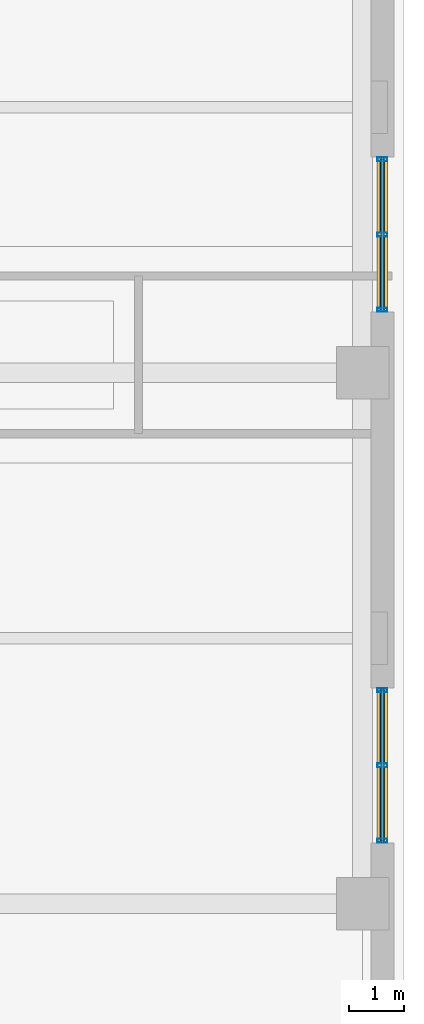
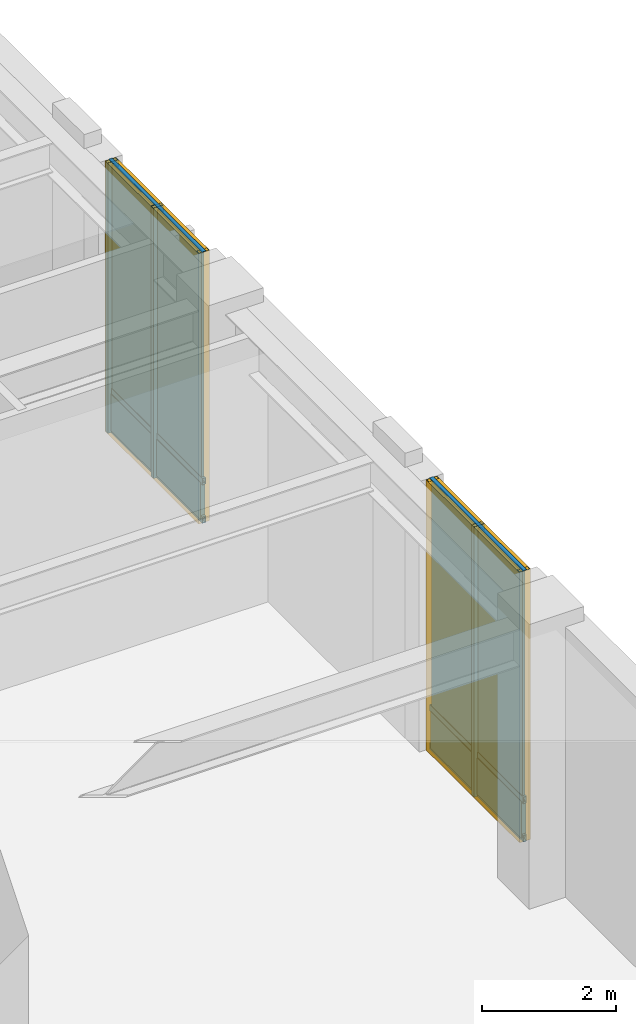
# One storey, part 10 of 18: 12 members, 8 plates, 2 curtain walls.
"""IFC4 building model written with IfcOpenShell, lengths in metres."""

from ifc_helpers import new_model, si_unit, direction, frame, frame_2d, origin, origin_2d, place, context, subcontext, project, spatial, rectangle, hollow_rectangle, extrude, material, layer, layer_set, material_profile, profile_set, type_object, element, aggregate, save


model = new_model("IFC4")

# Units and contexts
model_context = context("Model", 3, precision=1e-05, world=origin(), true_north=direction((0.0, 1.0)))
body_context = subcontext(model_context, "Body", "Model", "MODEL_VIEW")
ifc_project = project(units=[si_unit("LENGTHUNIT", "METRE"), si_unit("AREAUNIT", "SQUARE_METRE"), si_unit("VOLUMEUNIT", "CUBIC_METRE"), si_unit("PLANEANGLEUNIT", "RADIAN"), si_unit("MASSUNIT", "GRAM", prefix="KILO")], contexts=[model_context])

# Member
ifc_material_1 = material(Name="Anodized Aluminium 6063-T6", Category="aluminium")
ifc_material_profile_1 = material_profile(ifc_material_1, hollow_rectangle(XDim=0.070068359375, YDim=0.179931640625, WallThickness=0.00390625, at=origin_2d()), Name="Anodized Aluminium 6063-T6")
ifc_profile_set_1 = profile_set([ifc_material_profile_1], Name="Anodized Aluminium 6063-T6")
member_type_1 = type_object("IfcMemberType", Name="Curtain Wall Mullion 180", PredefinedType="MULLION", material=ifc_profile_set_1)
site_placement = place(None, origin())
building_placement = place(site_placement, origin())
storey_placement = place(building_placement, frame((0.0, 0.0, 150.800048828125)))
member_1_placement = place(storey_placement, frame((57.2099609375, 10.739990234375, 0.0), z_axis=(0.0, 0.0, 1.0), x_axis=(0.0, 1.0, 0.0)))
member_1 = element("IfcMember", 1, at=member_1_placement, type_object=member_type_1, Name="Curtain Wall Mullion CW-L38-E04-1-M01", PredefinedType="MULLION", context=body_context, shape_type="SweptSolid", body=[
    extrude(hollow_rectangle(XDim=0.070068359375, YDim=0.179931640625, WallThickness=0.00390625, at=origin_2d()), origin(), (0.0, 0.0, 1.0), 4.93994140625),
])

member_2_placement = place(storey_placement, frame((57.2099609375, 12.10009765625, 0.0), z_axis=(0.0, 0.0, 1.0), x_axis=(0.0, 1.0, 0.0)))
member_2 = element("IfcMember", 2, at=member_2_placement, type_object=member_type_1, Name="Curtain Wall Mullion CW-L38-E04-1-M02", PredefinedType="MULLION", context=body_context, shape_type="SweptSolid", body=[
    extrude(hollow_rectangle(XDim=0.070068359375, YDim=0.179931640625, WallThickness=0.00390625, at=origin_2d()), origin(), (0.0, 0.0, 1.0), 4.93994140625),
])

member_3_placement = place(storey_placement, frame((57.2099609375, 13.4599609375, 0.0), z_axis=(0.0, 0.0, 1.0), x_axis=(0.0, 1.0, 0.0)))
member_3 = element("IfcMember", 3, at=member_3_placement, type_object=member_type_1, Name="Curtain Wall Mullion CW-L38-E04-1-M03", PredefinedType="MULLION", context=body_context, shape_type="SweptSolid", body=[
    extrude(hollow_rectangle(XDim=0.070068359375, YDim=0.179931640625, WallThickness=0.00390625, at=origin_2d()), origin(), (0.0, 0.0, 1.0), 4.93994140625),
])

member_4_placement = place(storey_placement, frame((57.2099609375, 20.340087890625, 0.0), z_axis=(0.0, 0.0, 1.0), x_axis=(0.0, 1.0, 0.0)))
member_4 = element("IfcMember", 4, at=member_4_placement, type_object=member_type_1, Name="Curtain Wall Mullion CW-L38-E04-2-M01", PredefinedType="MULLION", context=body_context, shape_type="SweptSolid", body=[
    extrude(hollow_rectangle(XDim=0.070068359375, YDim=0.179931640625, WallThickness=0.00390625, at=origin_2d()), origin(), (0.0, 0.0, 1.0), 4.93994140625),
])

member_5_placement = place(storey_placement, frame((57.2099609375, 21.699951171875, 0.0), z_axis=(0.0, 0.0, 1.0), x_axis=(0.0, 1.0, 0.0)))
member_5 = element("IfcMember", 5, at=member_5_placement, type_object=member_type_1, Name="Curtain Wall Mullion CW-L38-E04-2-M02", PredefinedType="MULLION", context=body_context, shape_type="SweptSolid", body=[
    extrude(hollow_rectangle(XDim=0.070068359375, YDim=0.179931640625, WallThickness=0.00390625, at=origin_2d()), origin(), (0.0, 0.0, 1.0), 4.93994140625),
])

member_6_placement = place(storey_placement, frame((57.2099609375, 23.06005859375, 0.0), z_axis=(0.0, 0.0, 1.0), x_axis=(0.0, 1.0, 0.0)))
member_6 = element("IfcMember", 6, at=member_6_placement, type_object=member_type_1, Name="Curtain Wall Mullion CW-L38-E04-2-M03", PredefinedType="MULLION", context=body_context, shape_type="SweptSolid", body=[
    extrude(hollow_rectangle(XDim=0.070068359375, YDim=0.179931640625, WallThickness=0.00390625, at=origin_2d()), origin(), (0.0, 0.0, 1.0), 4.93994140625),
])

ifc_material_profile_2 = material_profile(ifc_material_1, hollow_rectangle(XDim=0.06005859375, YDim=0.1201171875, WallThickness=0.00341796875, at=origin_2d()), Name="Anodized Aluminium 6063-T6")
ifc_profile_set_2 = profile_set([ifc_material_profile_2], Name="Anodized Aluminium 6063-T6")
member_type_2 = type_object("IfcMemberType", Name="Curtain Wall Transom 120", PredefinedType="USERDEFINED", material=ifc_profile_set_2)
member_7_placement = place(storey_placement, frame((57.2099609375, 10.699951171875, 0.050048828125), z_axis=(0.0, 1.0, 0.0), x_axis=(-1.0, 0.0, 0.0)))
member_7 = element("IfcMember", 7, at=member_7_placement, type_object=member_type_2, Name="Curtain Wall Transom CW-L38-E04-1-T01", ObjectType="TRANSOM", PredefinedType="USERDEFINED", context=body_context, shape_type="SweptSolid", body=[
    extrude(hollow_rectangle(XDim=0.06005859375, YDim=0.1201171875, WallThickness=0.00341796875, at=origin_2d()), origin(), (0.0, 0.0, 1.0), 2.800048828125),
])

member_8_placement = place(storey_placement, frame((57.2099609375, 10.699951171875, 0.75), z_axis=(0.0, 1.0, 0.0), x_axis=(-1.0, 0.0, 0.0)))
member_8 = element("IfcMember", 8, at=member_8_placement, type_object=member_type_2, Name="Curtain Wall Transom CW-L38-E04-1-T02", ObjectType="TRANSOM", PredefinedType="USERDEFINED", context=body_context, shape_type="SweptSolid", body=[
    extrude(hollow_rectangle(XDim=0.06005859375, YDim=0.1201171875, WallThickness=0.00341796875, at=origin_2d()), origin(), (0.0, 0.0, 1.0), 2.800048828125),
])

member_9_placement = place(storey_placement, frame((57.2099609375, 10.699951171875, 4.889892578125), z_axis=(0.0, 1.0, 0.0), x_axis=(-1.0, 0.0, 0.0)))
member_9 = element("IfcMember", 9, at=member_9_placement, type_object=member_type_2, Name="Curtain Wall Transom CW-L38-E04-1-T03", ObjectType="TRANSOM", PredefinedType="USERDEFINED", context=body_context, shape_type="SweptSolid", body=[
    extrude(hollow_rectangle(XDim=0.06005859375, YDim=0.1201171875, WallThickness=0.00341796875, at=origin_2d()), origin(), (0.0, 0.0, 1.0), 2.800048828125),
])

member_10_placement = place(storey_placement, frame((57.2099609375, 20.300048828125, 0.050048828125), z_axis=(0.0, 1.0, 0.0), x_axis=(-1.0, 0.0, 0.0)))
member_10 = element("IfcMember", 10, at=member_10_placement, type_object=member_type_2, Name="Curtain Wall Transom CW-L38-E04-2-T01", ObjectType="TRANSOM", PredefinedType="USERDEFINED", context=body_context, shape_type="SweptSolid", body=[
    extrude(hollow_rectangle(XDim=0.06005859375, YDim=0.1201171875, WallThickness=0.00341796875, at=origin_2d()), origin(), (0.0, 0.0, 1.0), 2.800048828125),
])

member_11_placement = place(storey_placement, frame((57.2099609375, 20.300048828125, 0.75), z_axis=(0.0, 1.0, 0.0), x_axis=(-1.0, 0.0, 0.0)))
member_11 = element("IfcMember", 11, at=member_11_placement, type_object=member_type_2, Name="Curtain Wall Transom CW-L38-E04-2-T02", ObjectType="TRANSOM", PredefinedType="USERDEFINED", context=body_context, shape_type="SweptSolid", body=[
    extrude(hollow_rectangle(XDim=0.06005859375, YDim=0.1201171875, WallThickness=0.00341796875, at=origin_2d()), origin(), (0.0, 0.0, 1.0), 2.800048828125),
])

member_12_placement = place(storey_placement, frame((57.2099609375, 20.300048828125, 4.889892578125), z_axis=(0.0, 1.0, 0.0), x_axis=(-1.0, 0.0, 0.0)))
member_12 = element("IfcMember", 12, at=member_12_placement, type_object=member_type_2, Name="Curtain Wall Transom CW-L38-E04-2-T03", ObjectType="TRANSOM", PredefinedType="USERDEFINED", context=body_context, shape_type="SweptSolid", body=[
    extrude(hollow_rectangle(XDim=0.06005859375, YDim=0.1201171875, WallThickness=0.00341796875, at=origin_2d()), origin(), (0.0, 0.0, 1.0), 2.800048828125),
])

# Plate
ifc_material_2 = material(Name="Triple Low-E Argon Glazing", Category="glass")
ifc_layer_1 = layer(ifc_material_2, 0.0439453125, Name="Triple Low-E Argon Glazing")
ifc_layer_set_1 = layer_set([ifc_layer_1], Name="Triple Low-E Argon Glazing")
plate_type_1 = type_object("IfcPlateType", Name="Plate CWGlazing 44", PredefinedType="CURTAIN_PANEL", material=ifc_layer_set_1)
plate_1_placement = place(storey_placement, frame((57.2099609375, 11.39990234375, 0.7900390625), z_axis=(0.0, 0.0, 1.0), x_axis=(0.0, 1.0, 0.0)))
plate_1 = element("IfcPlate", 13, at=plate_1_placement, type_object=plate_type_1, Name="Vision Glazing Panel CW-L38-E04-1-GL01", PredefinedType="CURTAIN_PANEL", context=body_context, shape_type="SweptSolid", body=[
    extrude(rectangle(XDim=1.320068359375, YDim=0.0439453125, at=origin_2d()), origin(), (0.0, 0.0, 1.0), 4.110107421875),
])

plate_2_placement = place(storey_placement, frame((57.2099609375, 12.800048828125, 0.7900390625), z_axis=(0.0, 0.0, 1.0), x_axis=(0.0, 1.0, 0.0)))
plate_2 = element("IfcPlate", 14, at=plate_2_placement, type_object=plate_type_1, Name="Vision Glazing Panel CW-L38-E04-1-GL02", PredefinedType="CURTAIN_PANEL", context=body_context, shape_type="SweptSolid", body=[
    extrude(rectangle(XDim=1.320068359375, YDim=0.0439453125, at=origin_2d()), origin(), (0.0, 0.0, 1.0), 4.110107421875),
])

plate_3_placement = place(storey_placement, frame((57.2099609375, 21.0, 0.7900390625), z_axis=(0.0, 0.0, 1.0), x_axis=(0.0, 1.0, 0.0)))
plate_3 = element("IfcPlate", 15, at=plate_3_placement, type_object=plate_type_1, Name="Vision Glazing Panel CW-L38-E04-2-GL01", PredefinedType="CURTAIN_PANEL", context=body_context, shape_type="SweptSolid", body=[
    extrude(rectangle(XDim=1.320068359375, YDim=0.0439453125, at=origin_2d()), origin(), (0.0, 0.0, 1.0), 4.110107421875),
])

plate_4_placement = place(storey_placement, frame((57.2099609375, 22.39990234375, 0.7900390625), z_axis=(0.0, 0.0, 1.0), x_axis=(0.0, 1.0, 0.0)))
plate_4 = element("IfcPlate", 16, at=plate_4_placement, type_object=plate_type_1, Name="Vision Glazing Panel CW-L38-E04-2-GL02", PredefinedType="CURTAIN_PANEL", context=body_context, shape_type="SweptSolid", body=[
    extrude(rectangle(XDim=1.320068359375, YDim=0.0439453125, at=origin_2d()), origin(), (0.0, 0.0, 1.0), 4.110107421875),
])

ifc_material_3 = material(Name="Insulated Aluminium Spandrel Panel", Category="aluminium")
ifc_layer_2 = layer(ifc_material_3, 0.080078125, Name="Insulated Aluminium Spandrel Panel")
ifc_layer_set_2 = layer_set([ifc_layer_2], Name="Insulated Aluminium Spandrel Panel")
plate_type_2 = type_object("IfcPlateType", Name="Plate CWSpandrel 80", PredefinedType="SHEET", material=ifc_layer_set_2)
plate_5_placement = place(storey_placement, frame((57.2099609375, 11.39990234375, 0.0400390625), z_axis=(0.0, 0.0, 1.0), x_axis=(0.0, 1.0, 0.0)))
plate_5 = element("IfcPlate", 17, at=plate_5_placement, type_object=plate_type_2, Name="Spandrel Panel CW-L38-E04-1-SP01", PredefinedType="SHEET", context=body_context, shape_type="SweptSolid", body=[
    extrude(rectangle(XDim=1.320068359375, YDim=0.080078125, at=origin_2d()), origin(), (0.0, 0.0, 1.0), 0.669921875),
])

plate_6_placement = place(storey_placement, frame((57.2099609375, 12.800048828125, 0.0400390625), z_axis=(0.0, 0.0, 1.0), x_axis=(0.0, 1.0, 0.0)))
plate_6 = element("IfcPlate", 18, at=plate_6_placement, type_object=plate_type_2, Name="Spandrel Panel CW-L38-E04-1-SP02", PredefinedType="SHEET", context=body_context, shape_type="SweptSolid", body=[
    extrude(rectangle(XDim=1.320068359375, YDim=0.080078125, at=origin_2d()), origin(), (0.0, 0.0, 1.0), 0.669921875),
])

plate_7_placement = place(storey_placement, frame((57.2099609375, 21.0, 0.0400390625), z_axis=(0.0, 0.0, 1.0), x_axis=(0.0, 1.0, 0.0)))
plate_7 = element("IfcPlate", 19, at=plate_7_placement, type_object=plate_type_2, Name="Spandrel Panel CW-L38-E04-2-SP01", PredefinedType="SHEET", context=body_context, shape_type="SweptSolid", body=[
    extrude(rectangle(XDim=1.320068359375, YDim=0.080078125, at=origin_2d()), origin(), (0.0, 0.0, 1.0), 0.669921875),
])

plate_8_placement = place(storey_placement, frame((57.2099609375, 22.39990234375, 0.0400390625), z_axis=(0.0, 0.0, 1.0), x_axis=(0.0, 1.0, 0.0)))
plate_8 = element("IfcPlate", 20, at=plate_8_placement, type_object=plate_type_2, Name="Spandrel Panel CW-L38-E04-2-SP02", PredefinedType="SHEET", context=body_context, shape_type="SweptSolid", body=[
    extrude(rectangle(XDim=1.320068359375, YDim=0.080078125, at=origin_2d()), origin(), (0.0, 0.0, 1.0), 0.669921875),
])

# Site, building, storey
site = spatial("IfcSite", under=ifc_project, at=site_placement, CompositionType="ELEMENT")
building = spatial("IfcBuilding", under=site, at=building_placement, Name="Norrvale University Quadrangle", CompositionType="ELEMENT")
storey = spatial("IfcBuildingStorey", under=building, at=storey_placement, Name="L38", CompositionType="ELEMENT", Elevation=150.800048828125)

# Curtain wall
ifc_material_4 = material(Name="Anodized Aluminium and Triple Glazing", Category="glass")
curtain_wall_type = type_object("IfcCurtainWallType", Name="Curtain Wall System 3 Sky Lobby", PredefinedType="NOTDEFINED", material=ifc_material_4)
curtain_wall_1_placement = place(storey_placement, frame((57.2099609375, 10.699951171875, 0.0), z_axis=(0.0, 0.0, 1.0), x_axis=(0.0, 1.0, 0.0)))
curtain_wall_1 = element("IfcCurtainWall", 21, at=curtain_wall_1_placement, inside=storey, type_object=curtain_wall_type, Name="Curtain Wall CW System 3 Sky Lobby CW-L38-E04-1", PredefinedType="NOTDEFINED", context=body_context, shape_type="SweptSolid", body=[
    extrude(rectangle(XDim=2.800048828125, YDim=0.18994140625, at=frame_2d((1.39990234375, 0.0))), origin(), (0.0, 0.0, 1.0), 4.93994140625),
])

aggregate(curtain_wall_1, [member_1, member_2, member_3, member_7, member_8, member_9, plate_5, plate_1, plate_6, plate_2])

curtain_wall_2_placement = place(storey_placement, frame((57.2099609375, 20.300048828125, 0.0), z_axis=(0.0, 0.0, 1.0), x_axis=(0.0, 1.0, 0.0)))
curtain_wall_2 = element("IfcCurtainWall", 22, at=curtain_wall_2_placement, inside=storey, type_object=curtain_wall_type, Name="Curtain Wall CW System 3 Sky Lobby CW-L38-E04-2", PredefinedType="NOTDEFINED", context=body_context, shape_type="SweptSolid", body=[
    extrude(rectangle(XDim=2.800048828125, YDim=0.18994140625, at=frame_2d((1.39990234375, 0.0))), origin(), (0.0, 0.0, 1.0), 4.93994140625),
])

aggregate(curtain_wall_2, [member_4, member_5, member_6, member_10, member_11, member_12, plate_7, plate_3, plate_8, plate_4])

save(model, "model.ifc")
